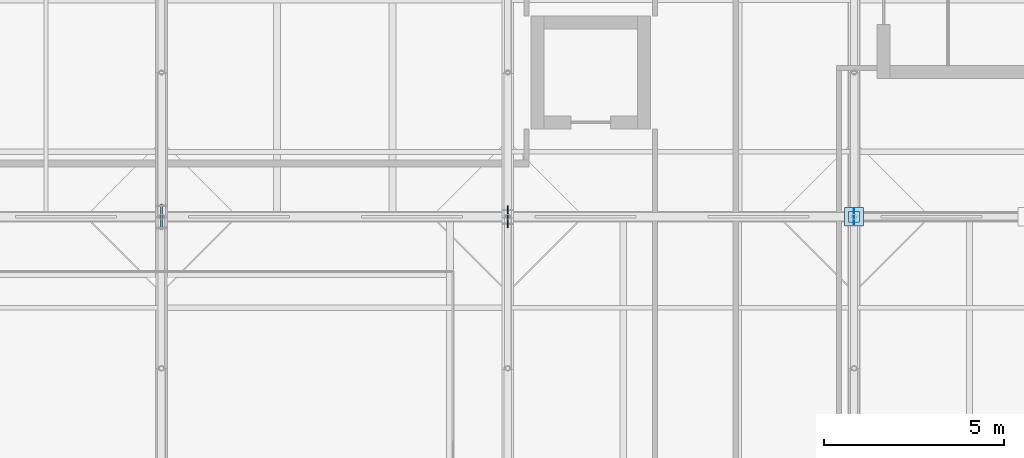
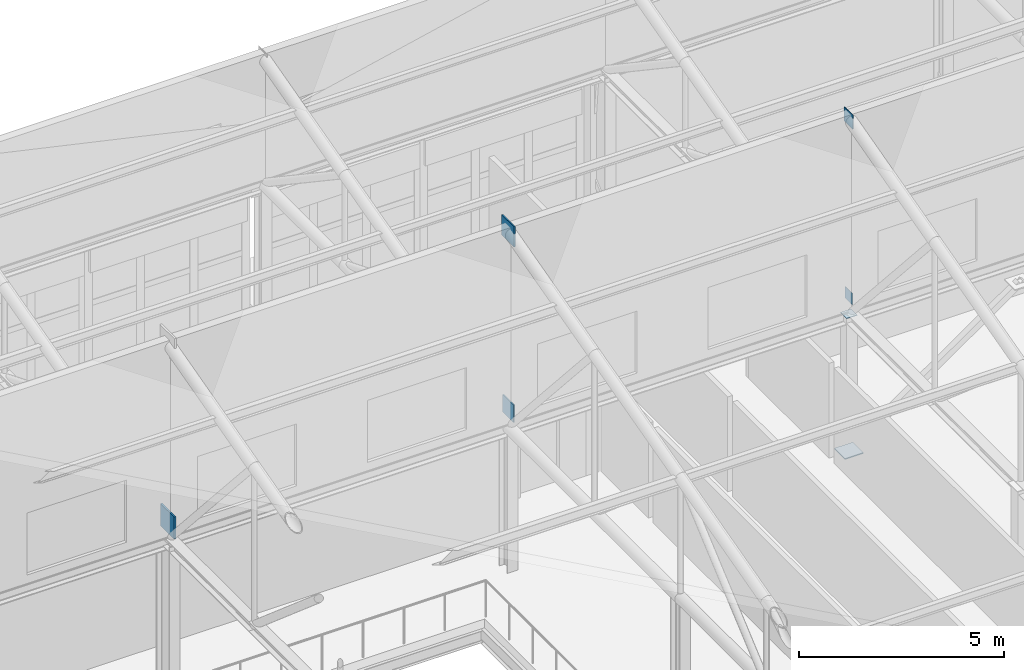
# One storey, part 72 of 89: 7 plates.
"""IFC4 building model written with IfcOpenShell, lengths in metres."""

from ifc_helpers import new_model, si_unit, direction, frame, origin, origin_2d, place, context, subcontext, project, spatial, rectangle, extrude, material, layer, layer_set, type_object, element, save


model = new_model("IFC4")

# Units and contexts
model_context = context("Model", 3, precision=1e-05, world=origin(), true_north=direction((0.0, 1.0)))
body_context = subcontext(model_context, "Body", "Model", "MODEL_VIEW")
ifc_project = project(units=[si_unit("LENGTHUNIT", "METRE"), si_unit("AREAUNIT", "SQUARE_METRE"), si_unit("VOLUMEUNIT", "CUBIC_METRE"), si_unit("PLANEANGLEUNIT", "RADIAN"), si_unit("MASSUNIT", "GRAM", prefix="KILO")], contexts=[model_context])

# Site, building, storey
site_placement = place(None, origin())
site = spatial("IfcSite", under=ifc_project, at=site_placement, CompositionType="ELEMENT")
building_placement = place(site_placement, origin())
building = spatial("IfcBuilding", under=site, at=building_placement, Name="Zereglee Splitstone Museum", CompositionType="ELEMENT")
storey_placement = place(building_placement, frame((0.0, 0.0, 21.300048828125)))
storey = spatial("IfcBuildingStorey", under=building, at=storey_placement, Name="L04", CompositionType="ELEMENT", Elevation=21.300048828125)

# Plates
ifc_material = material(Name="Steel S355J2", Category="steel")
ifc_layer_1 = layer(ifc_material, 0.01611328125)
ifc_layer_set_1 = layer_set([ifc_layer_1], Name="Steel S355J2")
plate_type_1 = type_object("IfcPlateType", Name="EC-02", PredefinedType="SHEET", material=ifc_layer_set_1)
plate_1_placement = place(storey_placement, frame((126.0, 38.39990234375, 4.199951171875), z_axis=(0.0, 0.0, 1.0), x_axis=(1.0, 0.0, 0.0)))
element("IfcPlate", 1, at=plate_1_placement, inside=storey, type_object=plate_type_1, Name="Hollow Column End-Cap Plate EC-02 (126.0,38.4)", PredefinedType="SHEET", context=body_context, shape_type="SweptSolid", body=[
    extrude(rectangle(XDim=0.300048828125, YDim=0.300048828125, at=origin_2d()), origin(), (0.0, 0.0, 1.0), 0.01611328125),
])
ifc_layer_2 = layer(ifc_material, 0.011962890625)
ifc_layer_set_2 = layer_set([ifc_layer_2], Name="Steel S355J2")
plate_type_2 = type_object("IfcPlateType", Name="NP-06", PredefinedType="SHEET", material=ifc_layer_set_2)
plate_2_placement = place(storey_placement, frame((126.0, 38.39990234375, 4.580078125), z_axis=(0.0, 0.0, 1.0), x_axis=(1.0, 0.0, 0.0)))
element("IfcPlate", 2, at=plate_2_placement, inside=storey, type_object=plate_type_2, Name="Sawtooth Truss Node Plate TN-06-3.0", PredefinedType="SHEET", context=body_context, shape_type="SweptSolid", body=[
    extrude(rectangle(XDim=0.011962890625, YDim=0.340087890625, at=origin_2d()), origin(), (0.0, 0.0, 1.0), 0.340087890625),
])
ifc_layer_3 = layer(ifc_material, 0.02001953125)
ifc_layer_set_3 = layer_set([ifc_layer_3], Name="Steel S355J2")
plate_type_3 = type_object("IfcPlateType", Name="NP-05", PredefinedType="SHEET", material=ifc_layer_set_3)
plate_3_placement = place(storey_placement, frame((126.0, 38.39990234375, 9.840087890625), z_axis=(0.0, 0.0, 1.0), x_axis=(1.0, 0.0, 0.0)))
element("IfcPlate", 3, at=plate_3_placement, inside=storey, type_object=plate_type_3, Name="Sawtooth Truss Node Plate TN-06-2.4", PredefinedType="SHEET", context=body_context, shape_type="SweptSolid", body=[
    extrude(rectangle(XDim=0.02001953125, YDim=0.419921875, at=origin_2d()), origin(), (0.0, 0.0, 1.0), 0.419921875),
])
ifc_layer_4 = layer(ifc_material, 0.030029296875)
ifc_layer_set_4 = layer_set([ifc_layer_4], Name="Steel S355J2")
plate_type_4 = type_object("IfcPlateType", Name="NP-04", PredefinedType="SHEET", material=ifc_layer_set_4)
plate_4_placement = place(storey_placement, frame((116.39990234375, 38.39990234375, 4.489990234375), z_axis=(0.0, 0.0, 1.0), x_axis=(1.0, 0.0, 0.0)))
element("IfcPlate", 4, at=plate_4_placement, inside=storey, type_object=plate_type_4, Name="Sawtooth Truss Node Plate TN-05-3.0", PredefinedType="SHEET", context=body_context, shape_type="SweptSolid", body=[
    extrude(rectangle(XDim=0.030029296875, YDim=0.52001953125, at=origin_2d()), origin(), (0.0, 0.0, 1.0), 0.52001953125),
])
plate_5_placement = place(storey_placement, frame((126.0, 38.39990234375, 0.10498046875), z_axis=(0.0, 0.0, 1.0), x_axis=(1.0, 0.0, 0.0)))
element("IfcPlate", 5, at=plate_5_placement, inside=storey, type_object=plate_type_4, Name="CBF Brace Gusset Cap L04-014", PredefinedType="SHEET", context=body_context, shape_type="SweptSolid", body=[
    extrude(rectangle(XDim=0.52001953125, YDim=0.52001953125, at=origin_2d()), origin(), (0.0, 0.0, 1.0), 0.030029296875),
])
ifc_layer_5 = layer(ifc_material, 0.0400390625)
ifc_layer_set_5 = layer_set([ifc_layer_5], Name="Steel S355J2")
plate_type_5 = type_object("IfcPlateType", Name="NP-03", PredefinedType="SHEET", material=ifc_layer_set_5)
plate_6_placement = place(storey_placement, frame((116.39990234375, 38.39990234375, 9.75), z_axis=(0.0, 0.0, 1.0), x_axis=(1.0, 0.0, 0.0)))
element("IfcPlate", 6, at=plate_6_placement, inside=storey, type_object=plate_type_5, Name="Sawtooth Truss Node Plate TN-05-2.4", PredefinedType="SHEET", context=body_context, shape_type="SweptSolid", body=[
    extrude(rectangle(XDim=0.0400390625, YDim=0.60009765625, at=origin_2d()), origin(), (0.0, 0.0, 1.0), 0.60009765625),
])
ifc_layer_6 = layer(ifc_material, 0.050048828125)
ifc_layer_set_6 = layer_set([ifc_layer_6], Name="Steel S355J2")
plate_type_6 = type_object("IfcPlateType", Name="NP-02", PredefinedType="SHEET", material=ifc_layer_set_6)
plate_7_placement = place(storey_placement, frame((106.800048828125, 38.39990234375, 4.419921875), z_axis=(0.0, 0.0, 1.0), x_axis=(1.0, 0.0, 0.0)))
element("IfcPlate", 7, at=plate_7_placement, inside=storey, type_object=plate_type_6, Name="Sawtooth Truss Node Plate TN-04-3.0", PredefinedType="SHEET", context=body_context, shape_type="SweptSolid", body=[
    extrude(rectangle(XDim=0.050048828125, YDim=0.659912109375, at=origin_2d()), origin(), (0.0, 0.0, 1.0), 0.659912109375),
])

save(model, "model.ifc")
